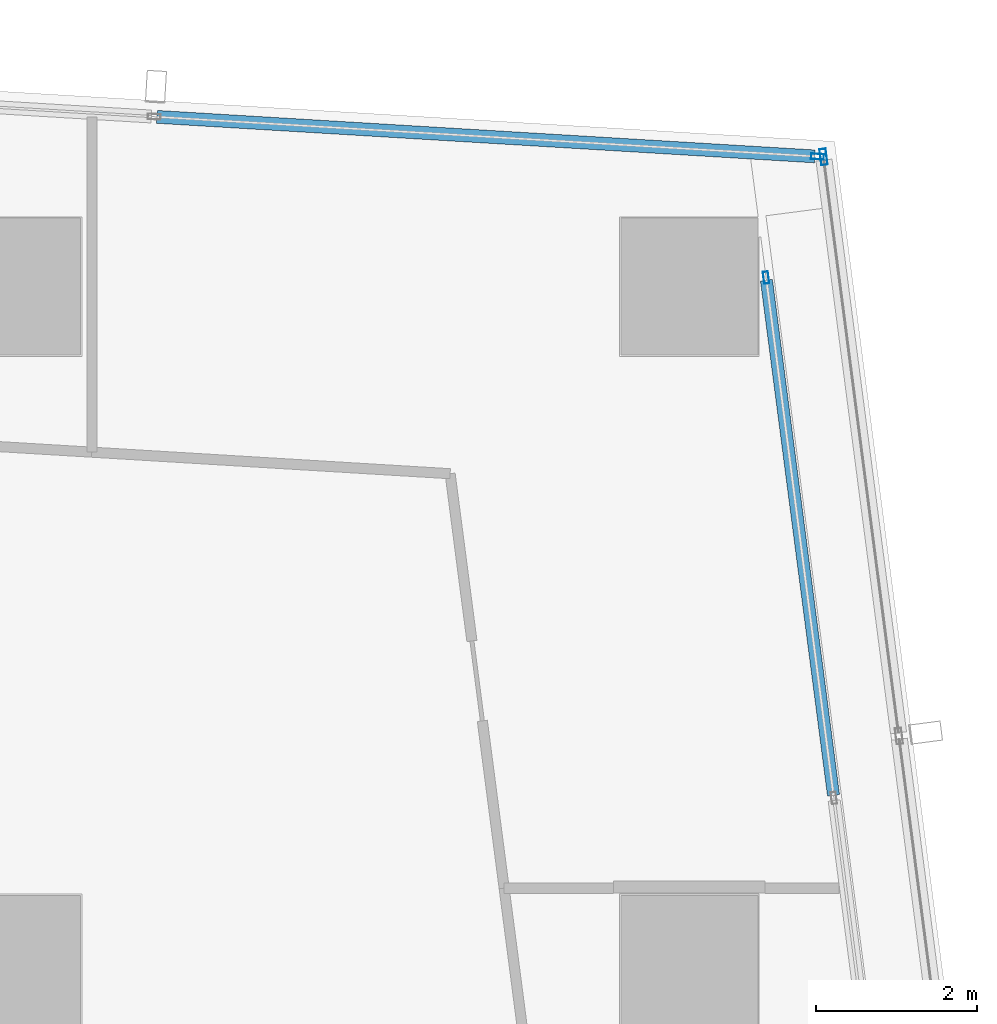
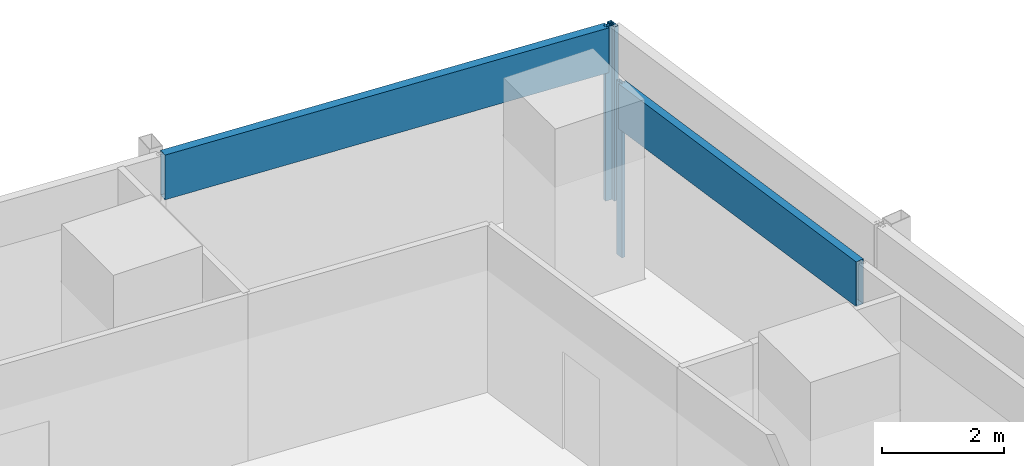
# One storey, part 20 of 40: 5 members, 3 elements without a shape of their own.
"""IFC4 building model written with IfcOpenShell, lengths in metres."""

from ifc_helpers import new_model, si_unit, direction, frame, origin, origin_2d, place, context, subcontext, project, spatial, hollow_rectangle, extrude, material, material_profile, profile_set, type_object, element, aggregate, save


model = new_model("IFC4")

# Units and contexts
model_context = context("Model", 3, precision=1e-05, world=origin(), true_north=direction((0.0, 1.0)))
body_context = subcontext(model_context, "Body", "Model", "MODEL_VIEW")
ifc_project = project(units=[si_unit("LENGTHUNIT", "METRE"), si_unit("AREAUNIT", "SQUARE_METRE"), si_unit("VOLUMEUNIT", "CUBIC_METRE"), si_unit("PLANEANGLEUNIT", "RADIAN"), si_unit("MASSUNIT", "GRAM", prefix="KILO")], contexts=[model_context])

# Site, building, storey
site_placement = place(None, origin())
site = spatial("IfcSite", under=ifc_project, at=site_placement, CompositionType="ELEMENT")
building_placement = place(site_placement, origin())
building = spatial("IfcBuilding", under=site, at=building_placement, Name="Rekha Terrace Tower", CompositionType="ELEMENT")
storey_placement = place(building_placement, frame((0.0, 0.0, 125.300048828125)))
storey = spatial("IfcBuildingStorey", under=building, at=storey_placement, Name="L31", CompositionType="ELEMENT", Elevation=125.300048828125)

# Curtain wall, members
ifc_material_1 = material(Name="Aluminium framing", Category="aluminium")
curtain_wall_type_1 = type_object("IfcCurtainWallType", Name="CW1 double skin inner glazing", PredefinedType="USERDEFINED", material=ifc_material_1)
curtain_wall_1_placement = place(storey_placement, origin())
curtain_wall_1 = element("IfcCurtainWall", 1, at=curtain_wall_1_placement, inside=storey, type_object=curtain_wall_type_1, Name="CW1 double skin inner glazing", ObjectType="DOUBLE SKIN INNER GLAZING", PredefinedType="USERDEFINED")
ifc_material_2 = material(Name="Aluminium mullion section", Category="aluminium")
ifc_material_profile_1 = material_profile(ifc_material_2, hollow_rectangle(XDim=0.06494140625, YDim=0.14990234375, WallThickness=0.00390625, at=origin_2d()), Name="AL RHS 65x150")
ifc_profile_set_1 = profile_set([ifc_material_profile_1], Name="Aluminium mullion section")
member_type_1 = type_object("IfcMemberType", Name="CW1 mullion RHS 65 x 150", PredefinedType="MULLION", material=ifc_profile_set_1)
member_1_placement = place(storey_placement, frame((68.15087890625, 58.910888671875, 0.0), z_axis=(0.0, 0.0, 1.0), x_axis=(-0.991629186237, -0.129118383675, 0.0)))
member_1 = element("IfcMember", 2, at=member_1_placement, type_object=member_type_1, Name="CW1 mullion 3", PredefinedType="MULLION", context=body_context, shape_type="SweptSolid", body=[
    extrude(hollow_rectangle(XDim=0.06494140625, YDim=0.14990234375, WallThickness=0.00390625, at=origin_2d()), origin(), (0.0, 0.0, 1.0), 3.5),
])
ifc_material_3 = material(Name="Insulated aluminium spandrel box", Category="aluminium")
ifc_material_profile_2 = material_profile(ifc_material_3, hollow_rectangle(XDim=0.14990234375, YDim=0.89990234375, WallThickness=0.0029296875, at=origin_2d()), Name="AL SPANDREL BOX 150x900")
ifc_profile_set_2 = profile_set([ifc_material_profile_2], Name="Insulated aluminium spandrel box")
member_type_2 = type_object("IfcMemberType", Name="CW1 spandrel transom 150 x 900", PredefinedType="USERDEFINED", material=ifc_profile_set_2)
member_2_placement = place(storey_placement, frame((68.987060546875, 52.48974609375, 3.050048828125), z_axis=(-0.129102663866, 0.991631232961, 0.0), x_axis=(-0.991631232961, -0.129102663866, 0.0)))
member_2 = element("IfcMember", 3, at=member_2_placement, type_object=member_type_2, Name="CW1 spandrel transom 2", ObjectType="TRANSOM", PredefinedType="USERDEFINED", context=body_context, shape_type="SweptSolid", body=[
    extrude(hollow_rectangle(XDim=0.14990234375, YDim=0.89990234375, WallThickness=0.0029296875, at=origin_2d()), origin(), (0.0, 0.0, 1.0), 6.44287109375),
])
aggregate(curtain_wall_1, [member_1, member_2])

# Curtain wall, member
curtain_wall_type_2 = type_object("IfcCurtainWallType", Name="CW2 double skin outer glazing", PredefinedType="USERDEFINED", material=ifc_material_1)
curtain_wall_2_placement = place(storey_placement, origin())
curtain_wall_2 = element("IfcCurtainWall", 4, at=curtain_wall_2_placement, inside=storey, type_object=curtain_wall_type_2, Name="CW2 double skin outer glazing", ObjectType="DOUBLE SKIN OUTER GLAZING", PredefinedType="USERDEFINED")
ifc_material_profile_3 = material_profile(ifc_material_2, hollow_rectangle(XDim=0.080078125, YDim=0.199951171875, WallThickness=0.00390625, at=origin_2d()), Name="AL RHS 80x200")
ifc_profile_set_3 = profile_set([ifc_material_profile_3], Name="Aluminium mullion section")
member_type_3 = type_object("IfcMemberType", Name="CW2 mullion RHS 80 x 200", PredefinedType="MULLION", material=ifc_profile_set_3)
member_3_placement = place(storey_placement, frame((68.863525390625, 60.408447265625, 0.0), z_axis=(0.0, 0.0, 1.0), x_axis=(-0.991629186244, -0.129118383623, 0.0)))
member_3 = element("IfcMember", 5, at=member_3_placement, type_object=member_type_3, Name="CW2 mullion 3", PredefinedType="MULLION", context=body_context, shape_type="SweptSolid", body=[
    extrude(hollow_rectangle(XDim=0.080078125, YDim=0.199951171875, WallThickness=0.00390625, at=origin_2d()), origin(), (0.0, 0.0, 1.0), 3.5),
])
aggregate(curtain_wall_2, [member_3])

# Curtain wall, members
curtain_wall_type_3 = type_object("IfcCurtainWallType", Name="CW3 north unitised glazing", PredefinedType="USERDEFINED", material=ifc_material_1)
curtain_wall_3_placement = place(storey_placement, origin())
curtain_wall_3 = element("IfcCurtainWall", 6, at=curtain_wall_3_placement, inside=storey, type_object=curtain_wall_type_3, Name="CW3 unitised curtain wall", ObjectType="UNITISED CURTAIN WALL", PredefinedType="USERDEFINED")
ifc_material_profile_4 = material_profile(ifc_material_2, hollow_rectangle(XDim=0.070068359375, YDim=0.159912109375, WallThickness=0.00390625, at=origin_2d()), Name="AL RHS 70x160")
ifc_profile_set_4 = profile_set([ifc_material_profile_4], Name="Aluminium mullion section")
member_type_4 = type_object("IfcMemberType", Name="CW3 mullion RHS 70 x 160", PredefinedType="MULLION", material=ifc_profile_set_4)
member_4_placement = place(storey_placement, frame((68.7880859375, 60.412353515625, 0.0), z_axis=(0.0, 0.0, 1.0), x_axis=(-0.059987926837, -0.998199102701, 0.0)))
member_4 = element("IfcMember", 7, at=member_4_placement, type_object=member_type_4, Name="CW3 mullion 1", PredefinedType="MULLION", context=body_context, shape_type="SweptSolid", body=[
    extrude(hollow_rectangle(XDim=0.070068359375, YDim=0.159912109375, WallThickness=0.00390625, at=origin_2d()), origin(), (0.0, 0.0, 1.0), 3.5),
])
ifc_material_profile_5 = material_profile(ifc_material_3, hollow_rectangle(XDim=0.159912109375, YDim=0.89990234375, WallThickness=0.0029296875, at=origin_2d()), Name="AL SPANDREL BOX 160x900")
ifc_profile_set_5 = profile_set([ifc_material_profile_5], Name="Insulated aluminium spandrel box")
member_type_5 = type_object("IfcMemberType", Name="CW3 spandrel transom 160 x 900", PredefinedType="USERDEFINED", material=ifc_profile_set_5)
member_5_placement = place(storey_placement, frame((68.753173828125, 60.41455078125, 3.050048828125), z_axis=(-0.998198874769, 0.05999171951, 0.0), x_axis=(-0.05999171951, -0.998198874769, 0.0)))
member_5 = element("IfcMember", 8, at=member_5_placement, type_object=member_type_5, Name="CW3 spandrel transom 1", ObjectType="TRANSOM", PredefinedType="USERDEFINED", context=body_context, shape_type="SweptSolid", body=[
    extrude(hollow_rectangle(XDim=0.159912109375, YDim=0.89990234375, WallThickness=0.0029296875, at=origin_2d()), origin(), (0.0, 0.0, 1.0), 8.171630859375),
])
aggregate(curtain_wall_3, [member_4, member_5])

save(model, "model.ifc")
